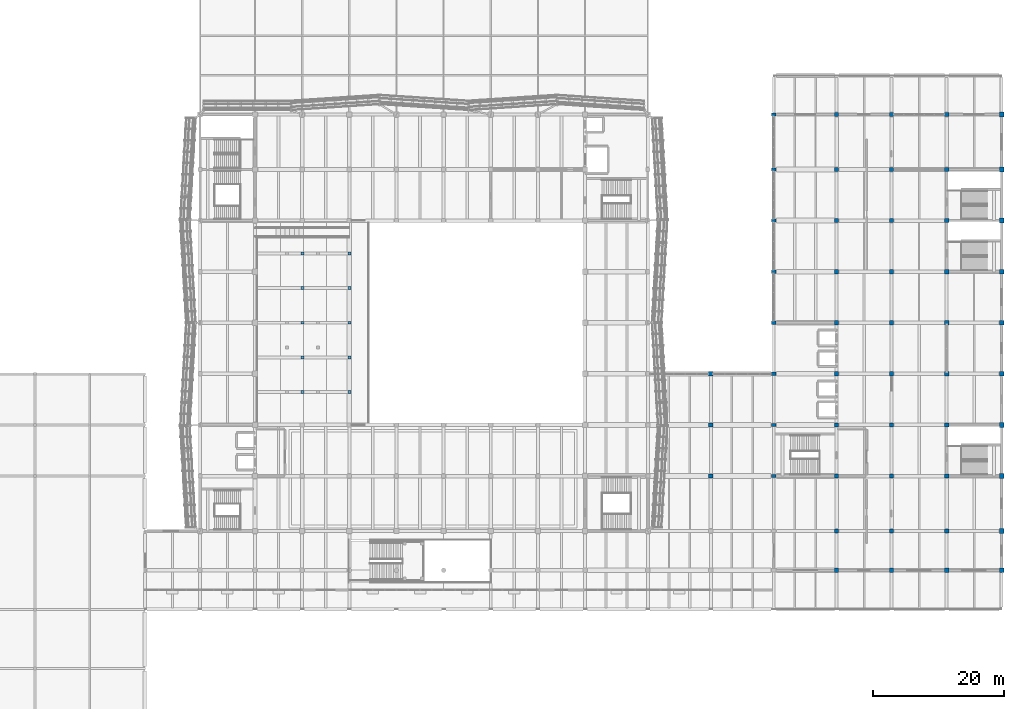
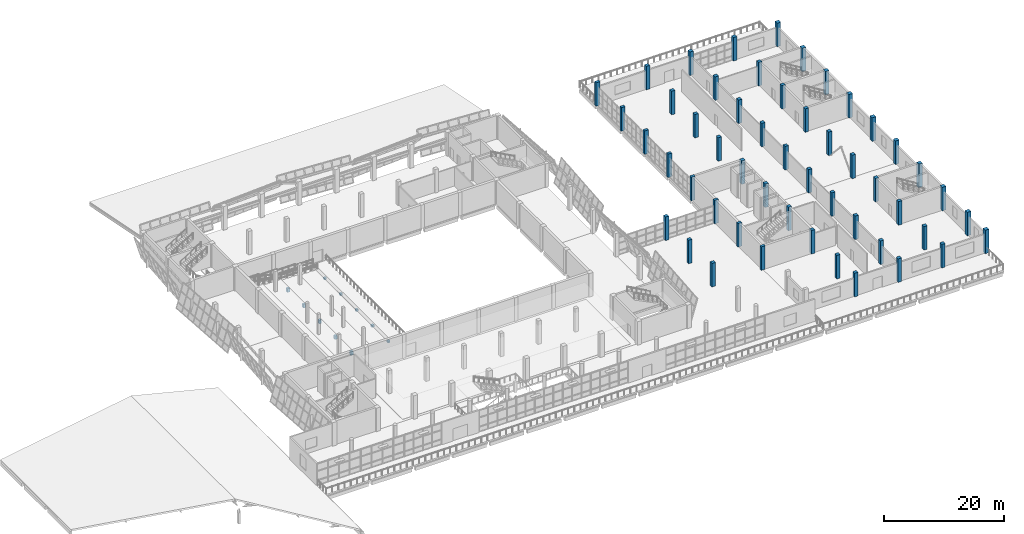
# One storey, part 2 of 79: 61 columns.
"""IFC4 building model written with IfcOpenShell, lengths in metres."""

from ifc_helpers import new_model, si_unit, direction, frame, origin, origin_2d, place, context, subcontext, project, spatial, rectangle, extrude, material, material_profile, profile_set, type_object, element, save


model = new_model("IFC4")

# Units and contexts
model_context = context("Model", 3, precision=1e-05, world=origin(), true_north=direction((0.0, 1.0)))
body_context = subcontext(model_context, "Body", "Model", "MODEL_VIEW")
ifc_project = project(units=[si_unit("LENGTHUNIT", "METRE"), si_unit("AREAUNIT", "SQUARE_METRE"), si_unit("VOLUMEUNIT", "CUBIC_METRE"), si_unit("PLANEANGLEUNIT", "RADIAN"), si_unit("MASSUNIT", "GRAM", prefix="KILO")], contexts=[model_context])

# Site, building, storey
site_placement = place(None, origin())
site = spatial("IfcSite", under=ifc_project, at=site_placement, CompositionType="ELEMENT")
building_placement = place(site_placement, origin())
building = spatial("IfcBuilding", under=site, at=building_placement, Name="Pellamere Symphony Hall", CompositionType="ELEMENT")
storey_placement = place(building_placement, frame((0.0, 0.0, 10.199951171875)))
storey = spatial("IfcBuildingStorey", under=building, at=storey_placement, Name="L02", CompositionType="ELEMENT", Elevation=10.199951171875)

# Columns
ifc_material = material(Name="Concrete 40 MPa", Category="concrete")
ifc_material_profile_1 = material_profile(ifc_material, rectangle(XDim=0.64990234375, YDim=0.64990234375, at=origin_2d()), Name="RC 650x650")
ifc_profile_set_1 = profile_set([ifc_material_profile_1], Name="Concrete 40 MPa")
column_type_1 = type_object("IfcColumnType", Name="RC Column CC-07 650x650", PredefinedType="COLUMN", material=ifc_profile_set_1)
for number, where, z_axis, x_axis, name in (
    (1, (128.39990234375, 38.39990234375, 0.0), (0.0, 0.0, 1.0), (1.0, 0.0, 0.0), "Column C-17F (L02)"),
    (2, (128.39990234375, 46.199951171875, 0.0), (0.0, 0.0, 1.0), (1.0, 0.0, 0.0), "Column C-17G (L02)"),
    (3, (128.39990234375, 54.0, 0.0), (0.0, 0.0, 1.0), (1.0, 0.0, 0.0), "Column C-17H (L02)"),
    (4, (147.60009765625, 24.0, 0.0), (0.0, 0.0, 1.0), (1.0, 0.0, 0.0), "Column C-19D (L02)"),
    (5, (147.60009765625, 30.0, 0.0), (0.0, 0.0, 1.0), (1.0, 0.0, 0.0), "Column C-19E (L02)"),
    (6, (147.60009765625, 38.39990234375, 0.0), (0.0, 0.0, 1.0), (1.0, 0.0, 0.0), "Column C-19F (L02)"),
    (7, (147.60009765625, 46.199951171875, 0.0), (0.0, 0.0, 1.0), (1.0, 0.0, 0.0), "Column C-19G (L02)"),
    (8, (147.60009765625, 54.0, 0.0), (0.0, 0.0, 1.0), (1.0, 0.0, 0.0), "Column C-19H (L02)"),
    (9, (147.60009765625, 61.800048828125, 0.0), (0.0, 0.0, 1.0), (1.0, 0.0, 0.0), "Column C-19I (L02)"),
    (10, (147.60009765625, 69.60009765625, 0.0), (0.0, 0.0, 1.0), (1.0, 0.0, 0.0), "Column C-19J (L02)"),
    (11, (147.60009765625, 77.39990234375, 0.0), (0.0, 0.0, 1.0), (1.0, 0.0, 0.0), "Column C-19K (L02)"),
    (12, (147.60009765625, 85.199951171875, 0.0), (0.0, 0.0, 1.0), (1.0, 0.0, 0.0), "Column C-19L (L02)"),
    (13, (147.60009765625, 93.60009765625, 0.0), (0.0, 0.0, 1.0), (1.0, 0.0, 0.0), "Column C-19M (L02)"),
    (14, (156.0, 24.0, 0.0), (0.0, 0.0, 1.0), (1.0, 0.0, 0.0), "Column C-20D (L02)"),
    (15, (156.0, 30.0, 0.0), (0.0, 0.0, 1.0), (1.0, 0.0, 0.0), "Column C-20E (L02)"),
    (16, (156.0, 38.39990234375, 0.0), (0.0, 0.0, 1.0), (1.0, 0.0, 0.0), "Column C-20F (L02)"),
    (17, (156.0, 46.199951171875, 0.0), (0.0, 0.0, 1.0), (1.0, 0.0, 0.0), "Column C-20G (L02)"),
    (18, (156.0, 54.0, 0.0), (0.0, 0.0, 1.0), (1.0, 0.0, 0.0), "Column C-20H (L02)"),
    (19, (156.0, 61.800048828125, 0.0), (0.0, 0.0, 1.0), (1.0, 0.0, 0.0), "Column C-20I (L02)"),
    (20, (156.0, 69.60009765625, 0.0), (0.0, 0.0, 1.0), (1.0, 0.0, 0.0), "Column C-20J (L02)"),
    (21, (156.0, 77.39990234375, 0.0), (0.0, 0.0, 1.0), (1.0, 0.0, 0.0), "Column C-20K (L02)"),
    (22, (156.0, 85.199951171875, 0.0), (0.0, 0.0, 1.0), (1.0, 0.0, 0.0), "Column C-20L (L02)"),
    (23, (156.0, 93.60009765625, 0.0), (0.0, 0.0, 1.0), (1.0, 0.0, 0.0), "Column C-20M (L02)"),
    (24, (164.39990234375, 24.0, 0.0), (0.0, 0.0, 1.0), (1.0, 0.0, 0.0), "Column C-21D (L02)"),
    (25, (164.39990234375, 30.0, 0.0), (0.0, 0.0, 1.0), (1.0, 0.0, 0.0), "Column C-21E (L02)"),
    (26, (164.39990234375, 38.39990234375, 0.0), (0.0, 0.0, 1.0), (1.0, 0.0, 0.0), "Column C-21F (L02)"),
    (27, (164.39990234375, 46.199951171875, 0.0), (0.0, 0.0, 1.0), (1.0, 0.0, 0.0), "Column C-21G (L02)"),
    (28, (164.39990234375, 54.0, 0.0), (0.0, 0.0, 1.0), (1.0, 0.0, 0.0), "Column C-21H (L02)"),
    (29, (164.39990234375, 61.800048828125, 0.0), (0.0, 0.0, 1.0), (1.0, 0.0, 0.0), "Column C-21I (L02)"),
    (30, (164.39990234375, 69.60009765625, 0.0), (0.0, 0.0, 1.0), (1.0, 0.0, 0.0), "Column C-21J (L02)"),
    (31, (164.39990234375, 77.39990234375, 0.0), (0.0, 0.0, 1.0), (1.0, 0.0, 0.0), "Column C-21K (L02)"),
    (32, (164.39990234375, 85.199951171875, 0.0), (0.0, 0.0, 1.0), (1.0, 0.0, 0.0), "Column C-21L (L02)"),
    (33, (164.39990234375, 93.60009765625, 0.0), (0.0, 0.0, 1.0), (1.0, 0.0, 0.0), "Column C-21M (L02)"),
):
    element("IfcColumn", number, at=place(storey_placement, frame(where, z_axis=z_axis, x_axis=x_axis)), inside=storey, type_object=column_type_1, Name=name, PredefinedType="COLUMN", context=body_context, shape_type="SweptSolid", body=[
        extrude(rectangle(XDim=0.64990234375, YDim=0.64990234375, at=origin_2d()), origin(), (0.0, 0.0, 1.0), 4.800048828125),
    ])
ifc_material_profile_2 = material_profile(ifc_material, rectangle(XDim=0.75, YDim=0.5, at=origin_2d()), Name="RC 750x500")
ifc_profile_set_2 = profile_set([ifc_material_profile_2], Name="Concrete 40 MPa")
column_type_2 = type_object("IfcColumnType", Name="RC Column CC-14 750x500", PredefinedType="COLUMN", material=ifc_profile_set_2)
for number, where, z_axis, x_axis, name in (
    (34, (138.0, 38.39990234375, 0.0), (0.0, 0.0, 1.0), (1.0, 0.0, 0.0), "Column C-18F (L02)"),
    (35, (138.0, 46.199951171875, 0.0), (0.0, 0.0, 1.0), (1.0, 0.0, 0.0), "Column C-18G (L02)"),
    (36, (138.0, 54.0, 0.0), (0.0, 0.0, 1.0), (1.0, 0.0, 0.0), "Column C-18H (L02)"),
    (37, (138.0, 61.800048828125, 0.0), (0.0, 0.0, 1.0), (1.0, 0.0, 0.0), "Column C-18I (L02)"),
    (38, (138.0, 69.60009765625, 0.0), (0.0, 0.0, 1.0), (1.0, 0.0, 0.0), "Column C-18J (L02)"),
    (39, (138.0, 77.39990234375, 0.0), (0.0, 0.0, 1.0), (1.0, 0.0, 0.0), "Column C-18K (L02)"),
    (40, (138.0, 85.199951171875, 0.0), (0.0, 0.0, 1.0), (1.0, 0.0, 0.0), "Column C-18L (L02)"),
    (41, (138.0, 93.60009765625, 0.0), (0.0, 0.0, 1.0), (1.0, 0.0, 0.0), "Column C-18M (L02)"),
):
    element("IfcColumn", number, at=place(storey_placement, frame(where, z_axis=z_axis, x_axis=x_axis)), inside=storey, type_object=column_type_2, Name=name, PredefinedType="COLUMN", context=body_context, shape_type="SweptSolid", body=[
        extrude(rectangle(XDim=0.75, YDim=0.5, at=origin_2d()), origin(), (0.0, 0.0, 1.0), 4.800048828125),
    ])
ifc_material_profile_3 = material_profile(ifc_material, rectangle(XDim=0.449951171875, YDim=0.449951171875, at=origin_2d()), Name="RC 450x450")
ifc_profile_set_3 = profile_set([ifc_material_profile_3], Name="Concrete 40 MPa")
column_type_3 = type_object("IfcColumnType", Name="RC Column CC-18 450x450", PredefinedType="COLUMN", material=ifc_profile_set_3)
for number, where, z_axis, x_axis, name in (
    (42, (66.074951171875, 51.199951171875, 0.0), (0.0, 0.0, 1.0), (1.0, 0.0, 0.0), "Under-Tier Raker Support Column RKC-038 (L02)"),
    (43, (66.074951171875, 56.5, 0.0), (0.0, 0.0, 1.0), (1.0, 0.0, 0.0), "Under-Tier Raker Support Column RKC-042 (L02)"),
    (44, (66.074951171875, 61.800048828125, 0.0), (0.0, 0.0, 1.0), (1.0, 0.0, 0.0), "Under-Tier Raker Support Column RKC-046 (L02)"),
    (45, (66.074951171875, 67.10009765625, 0.0), (0.0, 0.0, 1.0), (1.0, 0.0, 0.0), "Under-Tier Raker Support Column RKC-050 (L02)"),
    (46, (66.074951171875, 72.39990234375, 0.0), (0.0, 0.0, 1.0), (1.0, 0.0, 0.0), "Under-Tier Raker Support Column RKC-054 (L02)"),
):
    element("IfcColumn", number, at=place(storey_placement, frame(where, z_axis=z_axis, x_axis=x_axis)), inside=storey, type_object=column_type_3, Name=name, PredefinedType="COLUMN", context=body_context, shape_type="SweptSolid", body=[
        extrude(rectangle(XDim=0.449951171875, YDim=0.449951171875, at=origin_2d()), origin(), (0.0, 0.0, 1.0), 0.72998046875),
    ])
for number, where, z_axis, x_axis, name in (
    (47, (73.199951171875, 51.199951171875, 0.0), (0.0, 0.0, 1.0), (1.0, 0.0, 0.0), "Under-Tier Raker Support Column RKC-095 (L02)"),
    (48, (73.199951171875, 56.5, 0.0), (0.0, 0.0, 1.0), (1.0, 0.0, 0.0), "Under-Tier Raker Support Column RKC-099 (L02)"),
    (49, (73.199951171875, 61.800048828125, 0.0), (0.0, 0.0, 1.0), (1.0, 0.0, 0.0), "Under-Tier Raker Support Column RKC-103 (L02)"),
    (50, (73.199951171875, 67.10009765625, 0.0), (0.0, 0.0, 1.0), (1.0, 0.0, 0.0), "Under-Tier Raker Support Column RKC-107 (L02)"),
    (51, (73.199951171875, 72.39990234375, 0.0), (0.0, 0.0, 1.0), (1.0, 0.0, 0.0), "Under-Tier Raker Support Column RKC-111 (L02)"),
):
    element("IfcColumn", number, at=place(storey_placement, frame(where, z_axis=z_axis, x_axis=x_axis)), inside=storey, type_object=column_type_3, Name=name, PredefinedType="COLUMN", context=body_context, shape_type="SweptSolid", body=[
        extrude(rectangle(XDim=0.449951171875, YDim=0.449951171875, at=origin_2d()), origin(), (0.0, 0.0, 1.0), 0.400146484375),
    ])
ifc_material_profile_4 = material_profile(ifc_material, rectangle(XDim=0.719970703125, YDim=0.719970703125, at=origin_2d()), Name="RC 720x720")
ifc_profile_set_4 = profile_set([ifc_material_profile_4], Name="Concrete 40 MPa")
column_type_4 = type_object("IfcColumnType", Name="RC Column CCP-04 720x720", PredefinedType="COLUMN", material=ifc_profile_set_4)
for number, where, z_axis, x_axis, name in (
    (52, (172.800048828125, 24.0, 0.0), (0.0, 0.0, 1.0), (1.0, 0.0, 0.0), "Column C-22D (L02)"),
    (53, (172.800048828125, 30.0, 0.0), (0.0, 0.0, 1.0), (1.0, 0.0, 0.0), "Column C-22E (L02)"),
    (54, (172.800048828125, 38.39990234375, 0.0), (0.0, 0.0, 1.0), (1.0, 0.0, 0.0), "Column C-22F (L02)"),
    (55, (172.800048828125, 46.199951171875, 0.0), (0.0, 0.0, 1.0), (1.0, 0.0, 0.0), "Column C-22G (L02)"),
    (56, (172.800048828125, 54.0, 0.0), (0.0, 0.0, 1.0), (1.0, 0.0, 0.0), "Column C-22H (L02)"),
    (57, (172.800048828125, 61.800048828125, 0.0), (0.0, 0.0, 1.0), (1.0, 0.0, 0.0), "Column C-22I (L02)"),
    (58, (172.800048828125, 69.60009765625, 0.0), (0.0, 0.0, 1.0), (1.0, 0.0, 0.0), "Column C-22J (L02)"),
    (59, (172.800048828125, 77.39990234375, 0.0), (0.0, 0.0, 1.0), (1.0, 0.0, 0.0), "Column C-22K (L02)"),
    (60, (172.800048828125, 85.199951171875, 0.0), (0.0, 0.0, 1.0), (1.0, 0.0, 0.0), "Column C-22L (L02)"),
    (61, (172.800048828125, 93.60009765625, 0.0), (0.0, 0.0, 1.0), (1.0, 0.0, 0.0), "Column C-22M (L02)"),
):
    element("IfcColumn", number, at=place(storey_placement, frame(where, z_axis=z_axis, x_axis=x_axis)), inside=storey, type_object=column_type_4, Name=name, PredefinedType="COLUMN", context=body_context, shape_type="SweptSolid", body=[
        extrude(rectangle(XDim=0.719970703125, YDim=0.719970703125, at=origin_2d()), origin(), (0.0, 0.0, 1.0), 4.800048828125),
    ])

save(model, "model.ifc")
